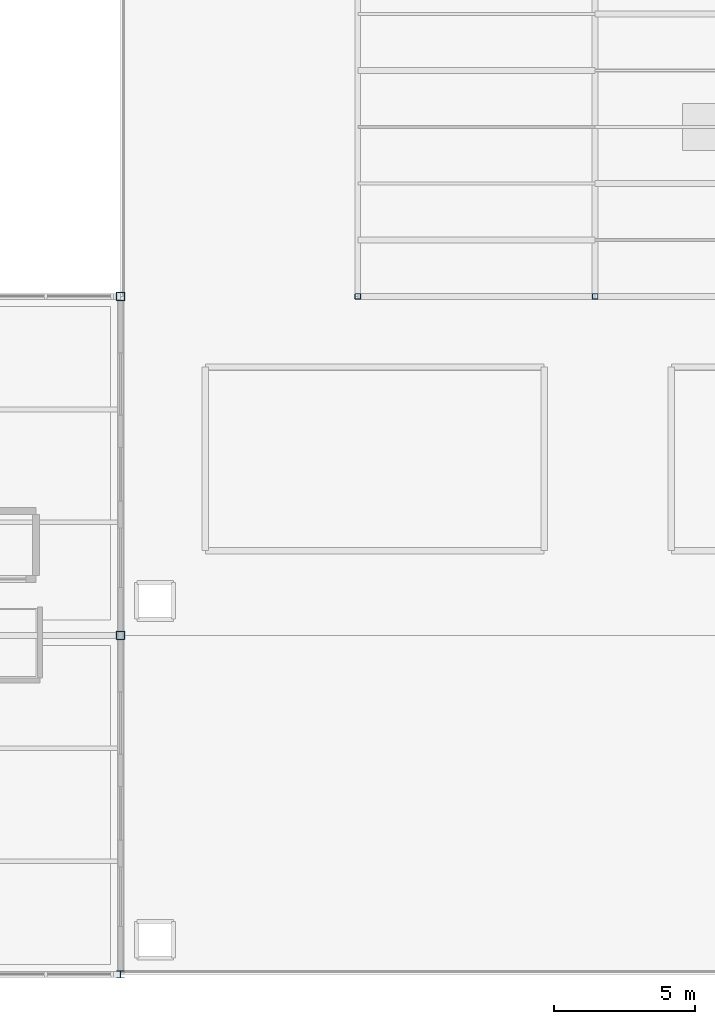
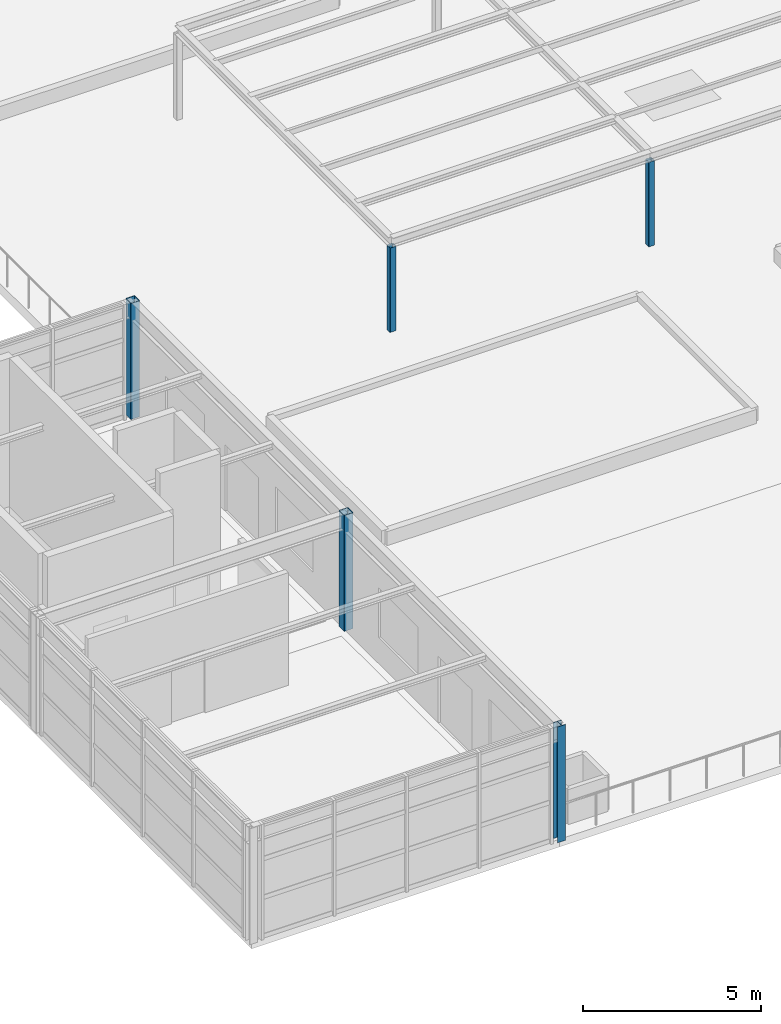
# One storey, part 3 of 49: 5 columns.
"""IFC4 building model written with IfcOpenShell, lengths in metres."""

from ifc_helpers import new_model, si_unit, direction, frame, origin, origin_2d, place, context, subcontext, project, spatial, hollow_rectangle, i_section, extrude, material, material_profile, profile_set, type_object, element, save


model = new_model("IFC4")

# Units and contexts
model_context = context("Model", 3, precision=1e-05, world=origin(), true_north=direction((0.0, 1.0)))
body_context = subcontext(model_context, "Body", "Model", "MODEL_VIEW")
ifc_project = project(units=[si_unit("LENGTHUNIT", "METRE"), si_unit("AREAUNIT", "SQUARE_METRE"), si_unit("VOLUMEUNIT", "CUBIC_METRE"), si_unit("PLANEANGLEUNIT", "RADIAN"), si_unit("MASSUNIT", "GRAM", prefix="KILO")], contexts=[model_context])

# Site, building, storey
site_placement = place(None, origin())
site = spatial("IfcSite", under=ifc_project, at=site_placement, CompositionType="ELEMENT")
building_placement = place(site_placement, origin())
building = spatial("IfcBuilding", under=site, at=building_placement, Name="Sitalva Quay Ferry Terminal", CompositionType="ELEMENT")
storey_placement = place(building_placement, frame((0.0, 0.0, 10.199951171875)))
storey = spatial("IfcBuildingStorey", under=building, at=storey_placement, Name="L03", CompositionType="ELEMENT", Elevation=10.199951171875)

# Columns
ifc_material_1 = material(Name="Structural Steel S355JR", Category="steel")
ifc_material_profile_1 = material_profile(ifc_material_1, hollow_rectangle(XDim=0.199951171875, YDim=0.199951171875, WallThickness=0.010009765625, InnerFilletRadius=0.010009765625, OuterFilletRadius=0.02001953125, at=origin_2d()), Name="SHS200x200x10")
ifc_profile_set_1 = profile_set([ifc_material_profile_1], Name="Structural Steel S355JR")
column_type_1 = type_object("IfcColumnType", Name="Col_SHS200x10", PredefinedType="COLUMN", material=ifc_profile_set_1)
for number, where, z_axis, x_axis, name in (
    (1, (92.39990234375, 30.0, 0.0), (0.0, 0.0, 1.0), (1.0, 0.0, 0.0), "L03 column 12E"),
    (2, (100.800048828125, 30.0, 0.0), (0.0, 0.0, 1.0), (1.0, 0.0, 0.0), "L03 column 13E"),
):
    element("IfcColumn", number, at=place(storey_placement, frame(where, z_axis=z_axis, x_axis=x_axis)), inside=storey, type_object=column_type_1, Name=name, PredefinedType="COLUMN", context=body_context, shape_type="SweptSolid", body=[
        extrude(hollow_rectangle(XDim=0.199951171875, YDim=0.199951171875, WallThickness=0.010009765625, InnerFilletRadius=0.010009765625, OuterFilletRadius=0.02001953125, at=origin_2d()), origin(), (0.0, 0.0, 1.0), 2.89697265625),
    ])
ifc_material_2 = material(Name="Structural Steel S355JR", Category="steel")
ifc_material_profile_2 = material_profile(ifc_material_2, hollow_rectangle(XDim=0.300048828125, YDim=0.300048828125, WallThickness=0.012451171875, InnerFilletRadius=0.012451171875, OuterFilletRadius=0.02490234375, at=origin_2d()), Name="SHS300x300x12.5")
ifc_profile_set_2 = profile_set([ifc_material_profile_2], Name="Structural Steel S355JR")
column_type_2 = type_object("IfcColumnType", Name="Col_SHS300x12", PredefinedType="COLUMN", material=ifc_profile_set_2)
for number, where, z_axis, x_axis, name in (
    (3, (84.0, 18.0, 0.0), (0.0, 0.0, 1.0), (1.0, 0.0, 0.0), "L03 column 11D"),
    (4, (84.0, 30.0, 0.0), (0.0, 0.0, 1.0), (1.0, 0.0, 0.0), "L03 column 11E"),
):
    element("IfcColumn", number, at=place(storey_placement, frame(where, z_axis=z_axis, x_axis=x_axis)), inside=storey, type_object=column_type_2, Name=name, PredefinedType="COLUMN", context=body_context, shape_type="SweptSolid", body=[
        extrude(hollow_rectangle(XDim=0.300048828125, YDim=0.300048828125, WallThickness=0.012451171875, InnerFilletRadius=0.012451171875, OuterFilletRadius=0.02490234375, at=origin_2d()), origin(), (0.0, 0.0, 1.0), 3.97998046875),
    ])
ifc_material_3 = material(Name="Structural Steel S355JR", Category="steel")
ifc_material_profile_3 = material_profile(ifc_material_3, i_section(OverallWidth=0.25390625, OverallDepth=0.2529296875, WebThickness=0.008544921875, FlangeThickness=0.01416015625, FilletRadius=0.011962890625, at=origin_2d()), Name="W250x73")
ifc_profile_set_3 = profile_set([ifc_material_profile_3], Name="Structural Steel S355JR")
column_type_3 = type_object("IfcColumnType", Name="Col_W250x73", PredefinedType="COLUMN", material=ifc_profile_set_3)
column_placement = place(storey_placement, frame((84.0, 6.0, 0.0), z_axis=(0.0, 0.0, 1.0), x_axis=(1.0, 0.0, 0.0)))
element("IfcColumn", 5, at=column_placement, inside=storey, type_object=column_type_3, Name="L03 column 11C", PredefinedType="COLUMN", context=body_context, shape_type="SweptSolid", body=[
    extrude(i_section(OverallWidth=0.25390625, OverallDepth=0.2529296875, WebThickness=0.008544921875, FlangeThickness=0.01416015625, FilletRadius=0.011962890625, at=origin_2d()), origin(), (0.0, 0.0, 1.0), 3.97998046875),
])

save(model, "model.ifc")
